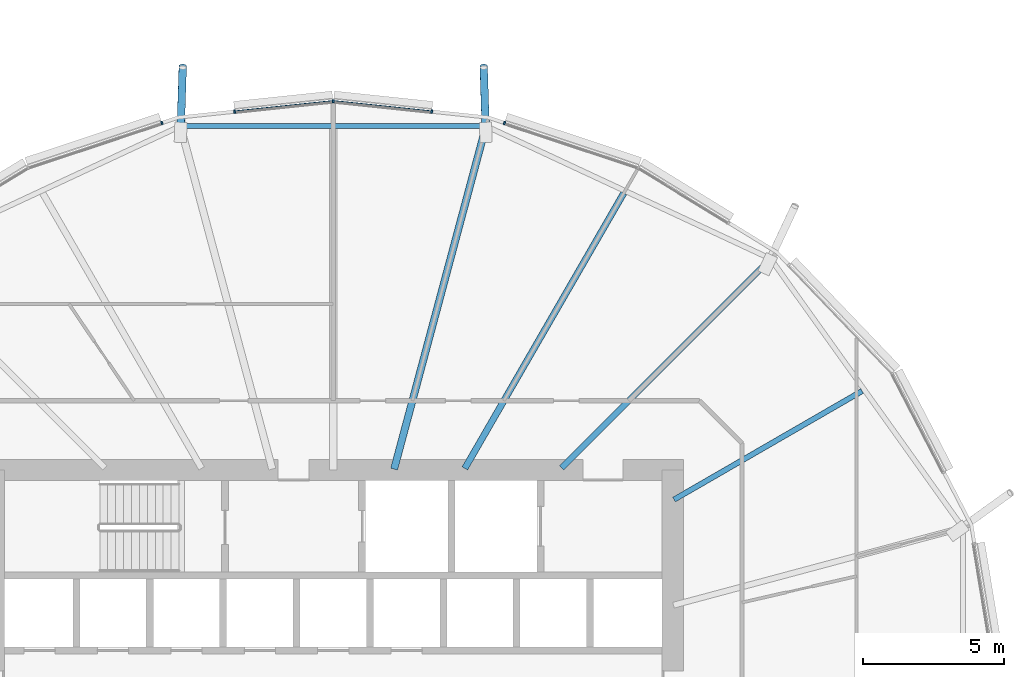
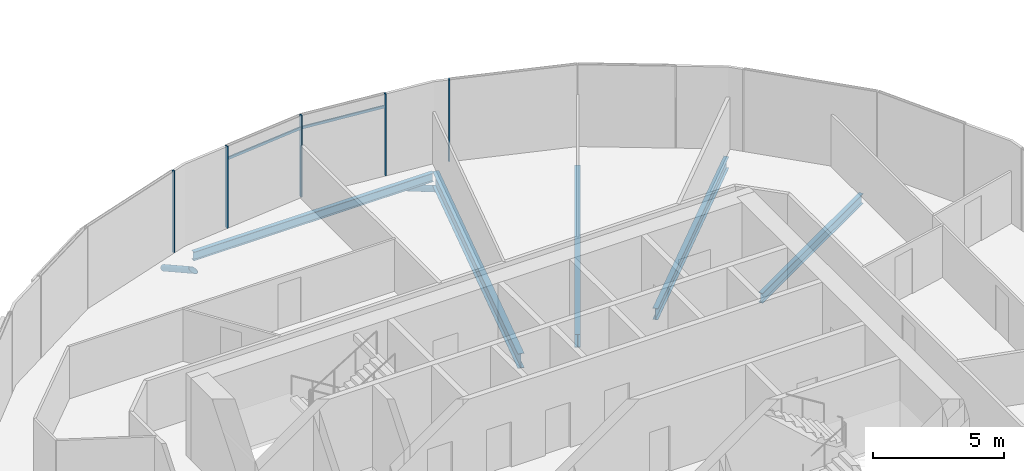
# One storey, part 9 of 39: 9 members, 5 beams, 1 element without a shape of its own.
"""IFC4 building model written with IfcOpenShell, lengths in metres."""

from ifc_helpers import new_model, si_unit, direction, frame, origin, origin_2d, place, context, subcontext, project, spatial, rectangle, hollow_circle, i_section, extrude, clip, halfspace, material, material_profile, profile_set, type_object, element, aggregate, save


model = new_model("IFC4")

# Units and contexts
model_context = context("Model", 3, precision=1e-05, world=origin(), true_north=direction((0.0, 1.0)))
body_context = subcontext(model_context, "Body", "Model", "MODEL_VIEW")
ifc_project = project(units=[si_unit("LENGTHUNIT", "METRE"), si_unit("AREAUNIT", "SQUARE_METRE"), si_unit("VOLUMEUNIT", "CUBIC_METRE"), si_unit("PLANEANGLEUNIT", "RADIAN"), si_unit("MASSUNIT", "GRAM", prefix="KILO")], contexts=[model_context])

# Site, building, storey
site_placement = place(None, origin())
site = spatial("IfcSite", under=ifc_project, at=site_placement, CompositionType="ELEMENT")
building_placement = place(site_placement, origin())
building = spatial("IfcBuilding", under=site, at=building_placement, Name="Rimbun Link Towers", CompositionType="ELEMENT")
storey_placement = place(building_placement, frame((0.0, 0.0, 96.800048828125)))
storey = spatial("IfcBuildingStorey", under=building, at=storey_placement, Name="L23", CompositionType="ELEMENT", Elevation=96.800048828125)

# Curtain wall, members
ifc_material_1 = material(Name="Aluminium 6063-T6 and low-iron glass", Category="aluminium")
curtain_wall_type = type_object("IfcCurtainWallType", Name="CW1-Z2 unitised vision wall (zone 2)", PredefinedType="NOTDEFINED", material=ifc_material_1)
curtain_wall_placement = place(storey_placement, origin())
curtain_wall = element("IfcCurtainWall", 1, at=curtain_wall_placement, inside=storey, type_object=curtain_wall_type, Name="CW1 L23 T1", PredefinedType="NOTDEFINED")
ifc_material_2 = material(Name="Aluminium 6063-T6", Category="aluminium")
ifc_material_profile_1 = material_profile(ifc_material_2, rectangle(XDim=0.1201171875, YDim=0.06005859375, at=origin_2d()), Name="MULLION 60X120")
ifc_profile_set_1 = profile_set([ifc_material_profile_1], Name="Aluminium 6063-T6")
member_type_1 = type_object("IfcMemberType", Name="CW1 mullion 60X120", PredefinedType="MULLION", material=ifc_profile_set_1)
member_1_placement = place(storey_placement, frame((-25.695068359375, 20.26953125, 0.0), z_axis=(0.0, 0.0, 1.0), x_axis=(0.314555783293, 0.949238989505, 0.0)))
member_1 = element("IfcMember", 2, at=member_1_placement, type_object=member_type_1, Name="CW1 mullion", PredefinedType="MULLION", context=body_context, shape_type="SweptSolid", body=[
    extrude(rectangle(XDim=0.1201171875, YDim=0.06005859375, at=origin_2d()), origin(), (0.0, 0.0, 1.0), 3.800048828125),
])
member_2_placement = place(storey_placement, frame((-31.75, 21.037109375, 0.0), z_axis=(0.0, 0.0, 1.0), x_axis=(0.0, 1.0, 0.0)))
member_2 = element("IfcMember", 3, at=member_2_placement, type_object=member_type_1, Name="CW1 mullion", PredefinedType="MULLION", context=body_context, shape_type="SweptSolid", body=[
    extrude(rectangle(XDim=0.1201171875, YDim=0.06005859375, at=origin_2d()), origin(), (0.0, 0.0, 1.0), 3.800048828125),
])
member_3_placement = place(storey_placement, frame((-28.26611328125, 20.67041015625, 0.0), z_axis=(0.0, 0.0, 1.0), x_axis=(0.104734976112, 0.994500168315, 0.0)))
member_3 = element("IfcMember", 4, at=member_3_placement, type_object=member_type_1, Name="CW1 mullion", PredefinedType="MULLION", context=body_context, shape_type="SweptSolid", body=[
    extrude(rectangle(XDim=0.1201171875, YDim=0.06005859375, at=origin_2d()), origin(), (0.0, 0.0, 1.0), 3.800048828125),
])
member_4_placement = place(storey_placement, frame((-35.23388671875, 20.67041015625, 0.0), z_axis=(0.0, 0.0, 1.0), x_axis=(-0.104734976112, 0.994500168315, 0.0)))
member_4 = element("IfcMember", 5, at=member_4_placement, type_object=member_type_1, Name="CW1 mullion", PredefinedType="MULLION", context=body_context, shape_type="SweptSolid", body=[
    extrude(rectangle(XDim=0.1201171875, YDim=0.06005859375, at=origin_2d()), origin(), (0.0, 0.0, 1.0), 3.800048828125),
])
member_5_placement = place(storey_placement, frame((-37.804931640625, 20.26953125, 0.0), z_axis=(0.0, 0.0, 1.0), x_axis=(-0.314555783293, 0.949238989505, 0.0)))
member_5 = element("IfcMember", 6, at=member_5_placement, type_object=member_type_1, Name="CW1 mullion", PredefinedType="MULLION", context=body_context, shape_type="SweptSolid", body=[
    extrude(rectangle(XDim=0.1201171875, YDim=0.06005859375, at=origin_2d()), origin(), (0.0, 0.0, 1.0), 3.800048828125),
])
ifc_material_3 = material(Name="Aluminium 6063-T6", Category="aluminium")
ifc_material_profile_2 = material_profile(ifc_material_3, rectangle(XDim=0.06005859375, YDim=0.1201171875, at=origin_2d()), Name="TRANSOM 60X120")
ifc_profile_set_2 = profile_set([ifc_material_profile_2], Name="Aluminium 6063-T6")
member_type_2 = type_object("IfcMemberType", Name="CW1 transom 60X120", PredefinedType="USERDEFINED", material=ifc_profile_set_2)
member_6_placement = place(storey_placement, frame((-31.714111328125, 21.031494140625, 3.199951171875), z_axis=(0.994503117246, -0.104706971059, 0.0), x_axis=(0.104706971059, 0.994503117246, 0.0)))
member_6 = element("IfcMember", 7, at=member_6_placement, type_object=member_type_2, Name="CW1 transom", ObjectType="TRANSOM", PredefinedType="USERDEFINED", context=body_context, shape_type="SweptSolid", body=[
    extrude(rectangle(XDim=0.06005859375, YDim=0.1201171875, at=origin_2d()), origin(), (0.0, 0.0, 1.0), 3.436767578125),
])
member_7_placement = place(storey_placement, frame((-35.203857421875, 20.671630859375, 3.199951171875), z_axis=(0.994503117246, 0.104706971059, 0.0), x_axis=(-0.104706971059, 0.994503117246, 0.0)))
member_7 = element("IfcMember", 8, at=member_7_placement, type_object=member_type_2, Name="CW1 transom", ObjectType="TRANSOM", PredefinedType="USERDEFINED", context=body_context, shape_type="SweptSolid", body=[
    extrude(rectangle(XDim=0.06005859375, YDim=0.1201171875, at=origin_2d()), origin(), (0.0, 0.0, 1.0), 3.436767578125),
])
aggregate(curtain_wall, [member_1, member_2, member_3, member_4, member_5, member_6, member_7])

# Members
ifc_material_4 = material(Name="Steel S355J2H", Category="steel")
ifc_material_profile_3 = material_profile(ifc_material_4, hollow_circle(Radius=0.136474609375, WallThickness=0.012451171875, at=origin_2d()), Name="CHS 273x12.5")
ifc_profile_set_3 = profile_set([ifc_material_profile_3], Name="Steel S355J2H")
member_type_3 = type_object("IfcMemberType", Name="Floor edge link CHS 273x12.5", PredefinedType="BRACE", material=ifc_profile_set_3)
for number, where, z_axis, x_axis, name in (
    (9, (-26.36181640625, 20.1083984375, -0.961669921875), (-0.02801346383, 0.868124555062, -0.495555246913), (-0.999479763833, -0.032252157884, 0.0), "Floor edge link T1 L23 05"),
    (10, (-37.13818359375, 20.1083984375, -0.961669921875), (0.02801346383, 0.868124555062, -0.495555246913), (-0.999479763833, 0.032252157884, 0.0), "Floor edge link T1 L23 07"),
):
    element("IfcMember", number, at=place(storey_placement, frame(where, z_axis=z_axis, x_axis=x_axis)), inside=storey, type_object=member_type_3, Name=name, PredefinedType="BRACE", context=body_context, shape_type="Clipping", body=[
        clip(extrude(hollow_circle(Radius=0.136474609375, WallThickness=0.012451171875, at=origin_2d()), frame((0.0, 0.0, -0.498779296875)), (0.0, 0.0, 1.0), 3.0), halfspace(frame((0.0, 0.0, -0.234375), z_axis=(0.0, 0.868576419929, -0.495555246913)), False)),
    ])

# Beams
ifc_material_5 = material(Name="Steel S355J2", Category="steel")
ifc_material_profile_4 = material_profile(ifc_material_5, i_section(OverallWidth=0.177978515625, OverallDepth=0.406494140625, WebThickness=0.0078125, FlangeThickness=0.0126953125, at=origin_2d()), Name="UB 406x178x60")
ifc_profile_set_4 = profile_set([ifc_material_profile_4], Name="Steel S355J2")
beam_type_1 = type_object("IfcBeamType", Name="UB 406x178x60", PredefinedType="BEAM", material=ifc_profile_set_4)
beam_1_placement = place(storey_placement, frame((-26.481201171875, 20.15673828125, -0.36328125), z_axis=(-1.0, 0.0, 0.0), x_axis=(0.0, -1.0, 0.0)))
element("IfcBeam", 11, at=beam_1_placement, inside=storey, type_object=beam_type_1, Name="Edge beam T1 L23 05-07", PredefinedType="BEAM", context=body_context, shape_type="SweptSolid", body=[
    extrude(i_section(OverallWidth=0.177978515625, OverallDepth=0.406494140625, WebThickness=0.0078125, FlangeThickness=0.0126953125, at=origin_2d()), origin(), (0.0, 0.0, 1.0), 10.53759765625),
])
ifc_material_6 = material(Name="Steel S355J2", Category="steel")
ifc_material_profile_5 = material_profile(ifc_material_6, i_section(OverallWidth=0.18994140625, OverallDepth=0.453369140625, WebThickness=0.008544921875, FlangeThickness=0.0126953125, at=origin_2d()), Name="UB 457x191x67")
ifc_profile_set_5 = profile_set([ifc_material_profile_5], Name="Steel S355J2")
beam_type_2 = type_object("IfcBeamType", Name="UB 457x191x67", PredefinedType="BEAM", material=ifc_profile_set_5)
beam_2_placement = place(storey_placement, frame((-19.70166015625, 6.9560546875, -0.38671875), z_axis=(0.866012339475, 0.500022627366, 0.0), x_axis=(-0.500022627366, 0.866012339475, 0.0)))
element("IfcBeam", 12, at=beam_2_placement, inside=storey, type_object=beam_type_2, Name="Radial beam T1 L23 02", PredefinedType="BEAM", context=body_context, shape_type="SweptSolid", body=[
    extrude(i_section(OverallWidth=0.18994140625, OverallDepth=0.453369140625, WebThickness=0.008544921875, FlangeThickness=0.0126953125, at=origin_2d()), origin(), (0.0, 0.0, 1.0), 7.674072265625),
])
ifc_material_7 = material(Name="Steel S355J2", Category="steel")
ifc_material_profile_6 = material_profile(ifc_material_7, i_section(OverallWidth=0.209228515625, OverallDepth=0.533203125, WebThickness=0.010009765625, FlangeThickness=0.015625, at=origin_2d()), Name="UB 533x210x92")
ifc_profile_set_6 = profile_set([ifc_material_profile_6], Name="Steel S355J2")
beam_type_3 = type_object("IfcBeamType", Name="UB 533x210x92", PredefinedType="BEAM", material=ifc_profile_set_6)
beam_3_placement = place(storey_placement, frame((-23.67529296875, 8.07470703125, -0.426513671875), z_axis=(0.707106781187, 0.707106781187, 0.0), x_axis=(-0.707106781187, 0.707106781187, 0.0)))
element("IfcBeam", 13, at=beam_3_placement, inside=storey, type_object=beam_type_3, Name="Radial beam T1 L23 03", PredefinedType="BEAM", context=body_context, shape_type="SweptSolid", body=[
    extrude(i_section(OverallWidth=0.209228515625, OverallDepth=0.533203125, WebThickness=0.010009765625, FlangeThickness=0.015625, at=origin_2d()), origin(), (0.0, 0.0, 1.0), 10.45263671875),
])
ifc_material_8 = material(Name="Steel S355J2", Category="steel")
ifc_material_profile_7 = material_profile(ifc_material_8, i_section(OverallWidth=0.2275390625, OverallDepth=0.6025390625, WebThickness=0.010498046875, FlangeThickness=0.014892578125, at=origin_2d()), Name="UB 610x229x101")
ifc_profile_set_7 = profile_set([ifc_material_profile_7], Name="Steel S355J2")
beam_type_4 = type_object("IfcBeamType", Name="UB 610x229x101", PredefinedType="BEAM", material=ifc_profile_set_7)
beam_4_placement = place(storey_placement, frame((-27.097900390625, 8.057861328125, -0.46142578125), z_axis=(0.50001148964, 0.866018770136, 0.0), x_axis=(-0.866018770136, 0.50001148964, 0.0)))
element("IfcBeam", 14, at=beam_4_placement, inside=storey, type_object=beam_type_4, Name="Radial beam T1 L23 04", PredefinedType="BEAM", context=body_context, shape_type="SweptSolid", body=[
    extrude(i_section(OverallWidth=0.2275390625, OverallDepth=0.6025390625, WebThickness=0.010498046875, FlangeThickness=0.014892578125, at=origin_2d()), origin(), (0.0, 0.0, 1.0), 11.235595703125),
])
ifc_material_9 = material(Name="Steel S355J2", Category="steel")
ifc_material_profile_8 = material_profile(ifc_material_9, i_section(OverallWidth=0.253662109375, OverallDepth=0.68359375, WebThickness=0.012451171875, FlangeThickness=0.01904296875, at=origin_2d()), Name="UB 686x254x140")
ifc_profile_set_8 = profile_set([ifc_material_profile_8], Name="Steel S355J2")
beam_type_5 = type_object("IfcBeamType", Name="UB 686x254x140", PredefinedType="BEAM", material=ifc_profile_set_8)
beam_5_placement = place(storey_placement, frame((-29.597412109375, 8.03369140625, -0.501953125), z_axis=(0.258813870741, 0.96592721274, 0.0), x_axis=(-0.96592721274, 0.258813870741, 0.0)))
element("IfcBeam", 15, at=beam_5_placement, inside=storey, type_object=beam_type_5, Name="Radial beam T1 L23 05", PredefinedType="BEAM", context=body_context, shape_type="SweptSolid", body=[
    extrude(i_section(OverallWidth=0.253662109375, OverallDepth=0.68359375, WebThickness=0.012451171875, FlangeThickness=0.01904296875, at=origin_2d()), origin(), (0.0, 0.0, 1.0), 12.55078125),
])

save(model, "model.ifc")
